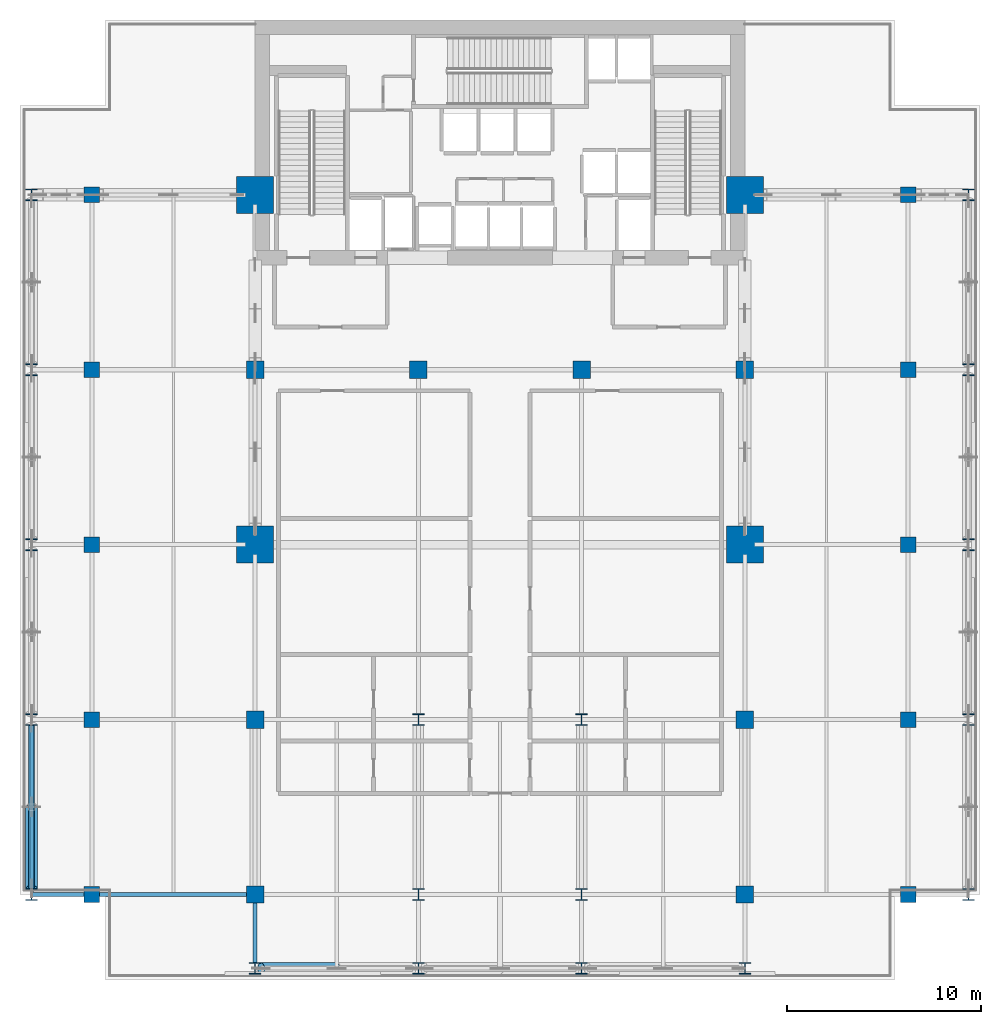
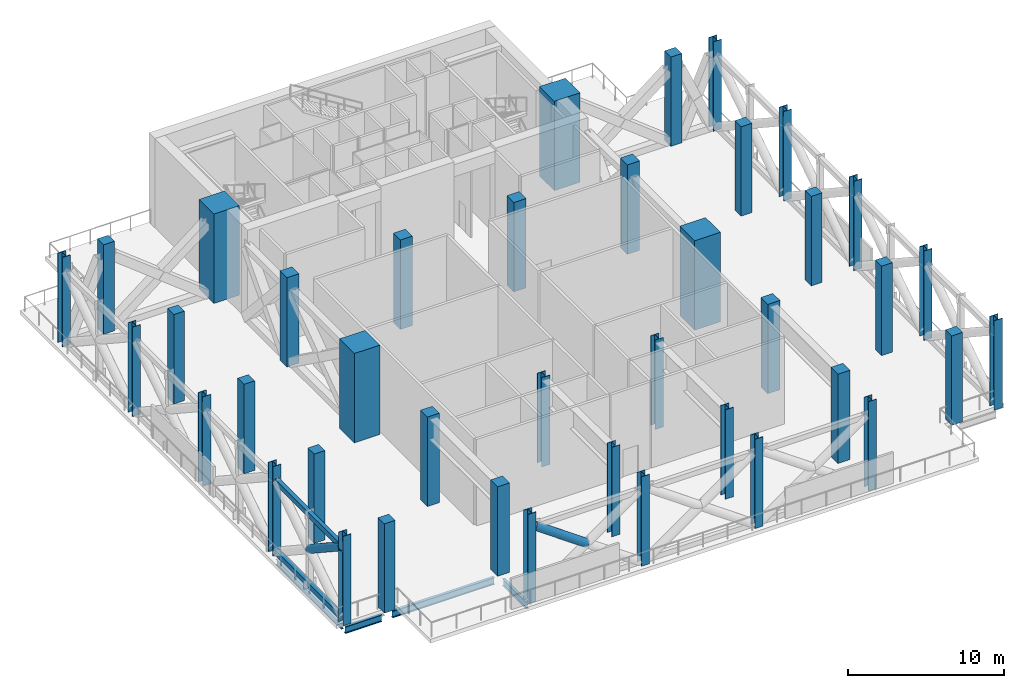
# One storey, part 1 of 14: 40 columns, 4 beams, 4 members.
"""IFC4 building model written with IfcOpenShell, lengths in metres."""

from ifc_helpers import new_model, si_unit, direction, frame, origin, origin_2d, place, context, subcontext, project, spatial, rectangle, hollow_rectangle, hollow_circle, i_section, extrude, material, material_profile, profile_set, type_object, element, save


model = new_model("IFC4")

# Units and contexts
model_context = context("Model", 3, precision=1e-05, world=origin(), true_north=direction((0.0, 1.0)))
body_context = subcontext(model_context, "Body", "Model", "MODEL_VIEW")
ifc_project = project(units=[si_unit("LENGTHUNIT", "METRE"), si_unit("AREAUNIT", "SQUARE_METRE"), si_unit("VOLUMEUNIT", "CUBIC_METRE"), si_unit("PLANEANGLEUNIT", "RADIAN"), si_unit("MASSUNIT", "GRAM", prefix="KILO")], contexts=[model_context])

# Site, building, storey
site_placement = place(None, origin())
site = spatial("IfcSite", under=ifc_project, at=site_placement, CompositionType="ELEMENT")
building_placement = place(site_placement, origin())
building = spatial("IfcBuilding", under=site, at=building_placement, Name="Maruvema Waterfront Hotel and Observation Tower", CompositionType="ELEMENT")
storey_placement = place(building_placement, frame((0.0, 0.0, 227.5)))
storey = spatial("IfcBuildingStorey", under=building, at=storey_placement, Name="L56", CompositionType="ELEMENT", Elevation=227.5)

# Columns
ifc_material_1 = material(Name="Concrete C80/95", Category="concrete")
ifc_material_profile_1 = material_profile(ifc_material_1, rectangle(XDim=1.89990234375, YDim=1.89990234375, at=origin_2d()), Name="MC1900x1900")
ifc_profile_set_1 = profile_set([ifc_material_profile_1], Name="Concrete C80/95")
column_type_1 = type_object("IfcColumnType", Name="Continuous Mega-Column MC1900x1900", PredefinedType="COLUMN", material=ifc_profile_set_1)
for number, where, z_axis, x_axis, name in (
    (1, (25.199951171875, 27.0, 0.0), (0.0, 0.0, 1.0), (1.0, 0.0, 0.0), "L56 Continuous Mega-Column MC-01"),
    (2, (50.39990234375, 27.0, 0.0), (0.0, 0.0, 1.0), (1.0, 0.0, 0.0), "L56 Continuous Mega-Column MC-02"),
    (3, (25.199951171875, 45.0, 0.0), (0.0, 0.0, 1.0), (1.0, 0.0, 0.0), "L56 Continuous Mega-Column MC-03"),
    (4, (50.39990234375, 45.0, 0.0), (0.0, 0.0, 1.0), (1.0, 0.0, 0.0), "L56 Continuous Mega-Column MC-04"),
):
    element("IfcColumn", number, at=place(storey_placement, frame(where, z_axis=z_axis, x_axis=x_axis)), inside=storey, type_object=column_type_1, Name=name, PredefinedType="COLUMN", context=body_context, shape_type="SweptSolid", body=[
        extrude(rectangle(XDim=1.89990234375, YDim=1.89990234375, at=origin_2d()), origin(), (0.0, 0.0, 1.0), 7.0),
    ])
ifc_material_2 = material(Name="Concrete C60/75", Category="concrete")
ifc_material_profile_2 = material_profile(ifc_material_2, rectangle(XDim=0.800048828125, YDim=0.800048828125, at=origin_2d()), Name="RC800x800")
ifc_profile_set_2 = profile_set([ifc_material_profile_2], Name="Concrete C60/75")
column_type_2 = type_object("IfcColumnType", Name="Reinforced Concrete Column RC800x800", PredefinedType="COLUMN", material=ifc_profile_set_2)
for number, where, z_axis, x_axis, name in (
    (5, (16.800048828125, 9.0, 0.0), (0.0, 0.0, 1.0), (1.0, 0.0, 0.0), "L56 Column C-3Y9"),
    (6, (58.800048828125, 9.0, 0.0), (0.0, 0.0, 1.0), (1.0, 0.0, 0.0), "L56 Column C-8Y9"),
    (7, (16.800048828125, 18.0, 0.0), (0.0, 0.0, 1.0), (1.0, 0.0, 0.0), "L56 Column C-3Y18"),
    (8, (58.800048828125, 18.0, 0.0), (0.0, 0.0, 1.0), (1.0, 0.0, 0.0), "L56 Column C-8Y18"),
    (9, (16.800048828125, 27.0, 0.0), (0.0, 0.0, 1.0), (1.0, 0.0, 0.0), "L56 Column C-3Y27"),
    (10, (58.800048828125, 27.0, 0.0), (0.0, 0.0, 1.0), (1.0, 0.0, 0.0), "L56 Column C-8Y27"),
    (11, (16.800048828125, 36.0, 0.0), (0.0, 0.0, 1.0), (1.0, 0.0, 0.0), "L56 Column C-3Y36"),
    (12, (58.800048828125, 36.0, 0.0), (0.0, 0.0, 1.0), (1.0, 0.0, 0.0), "L56 Column C-8Y36"),
    (13, (16.800048828125, 45.0, 0.0), (0.0, 0.0, 1.0), (1.0, 0.0, 0.0), "L56 Column C-3Y45"),
    (14, (58.800048828125, 45.0, 0.0), (0.0, 0.0, 1.0), (1.0, 0.0, 0.0), "L56 Column C-8Y45"),
):
    element("IfcColumn", number, at=place(storey_placement, frame(where, z_axis=z_axis, x_axis=x_axis)), inside=storey, type_object=column_type_2, Name=name, PredefinedType="COLUMN", context=body_context, shape_type="SweptSolid", body=[
        extrude(rectangle(XDim=0.800048828125, YDim=0.800048828125, at=origin_2d()), origin(), (0.0, 0.0, 1.0), 7.0),
    ])
ifc_material_3 = material(Name="Concrete C60/75", Category="concrete")
ifc_material_profile_3 = material_profile(ifc_material_3, rectangle(XDim=0.89990234375, YDim=0.89990234375, at=origin_2d()), Name="RC900x900")
ifc_profile_set_3 = profile_set([ifc_material_profile_3], Name="Concrete C60/75")
column_type_3 = type_object("IfcColumnType", Name="Reinforced Concrete Column RC900x900", PredefinedType="COLUMN", material=ifc_profile_set_3)
for number, where, z_axis, x_axis, name in (
    (15, (25.199951171875, 36.0, 0.0), (0.0, 0.0, 1.0), (1.0, 0.0, 0.0), "L56 Column C-4E"),
    (16, (33.60009765625, 36.0, 0.0), (0.0, 0.0, 1.0), (1.0, 0.0, 0.0), "L56 Column C-5E"),
    (17, (42.0, 36.0, 0.0), (0.0, 0.0, 1.0), (1.0, 0.0, 0.0), "L56 Column C-6E"),
    (18, (50.39990234375, 36.0, 0.0), (0.0, 0.0, 1.0), (1.0, 0.0, 0.0), "L56 Column C-7E"),
    (19, (25.199951171875, 18.0, 0.0), (0.0, 0.0, 1.0), (1.0, 0.0, 0.0), "L56 Column C-4C"),
    (20, (50.39990234375, 18.0, 0.0), (0.0, 0.0, 1.0), (1.0, 0.0, 0.0), "L56 Column C-7C"),
    (21, (25.199951171875, 9.0, 0.0), (0.0, 0.0, 1.0), (1.0, 0.0, 0.0), "L56 Column C-4B"),
    (22, (50.39990234375, 9.0, 0.0), (0.0, 0.0, 1.0), (1.0, 0.0, 0.0), "L56 Column C-7B"),
):
    element("IfcColumn", number, at=place(storey_placement, frame(where, z_axis=z_axis, x_axis=x_axis)), inside=storey, type_object=column_type_3, Name=name, PredefinedType="COLUMN", context=body_context, shape_type="SweptSolid", body=[
        extrude(rectangle(XDim=0.89990234375, YDim=0.89990234375, at=origin_2d()), origin(), (0.0, 0.0, 1.0), 7.0),
    ])
ifc_material_4 = material(Name="Steel ABNT NBR 7007 AR 415 (ASTM A572 Grade 50)", Category="steel")
ifc_material_profile_4 = material_profile(ifc_material_4, i_section(OverallWidth=0.60009765625, OverallDepth=0.60009765625, WebThickness=0.02490234375, FlangeThickness=0.0380859375, at=origin_2d()), Name="CVS600x317")
ifc_profile_set_4 = profile_set([ifc_material_profile_4], Name="Steel ABNT NBR 7007 AR 415 (ASTM A572 Grade 50)")
column_type_4 = type_object("IfcColumnType", Name="Structural Steel Column CVS600x317", PredefinedType="COLUMN", material=ifc_profile_set_4)
for number, where, z_axis, x_axis, name in (
    (23, (33.60009765625, 9.0, 0.0), (0.0, 0.0, 1.0), (1.0, 0.0, 0.0), "L56 Column C-5B"),
    (24, (42.0, 9.0, 0.0), (0.0, 0.0, 1.0), (1.0, 0.0, 0.0), "L56 Column C-6B"),
    (25, (33.60009765625, 18.0, 0.0), (0.0, 0.0, 1.0), (1.0, 0.0, 0.0), "L56 Column C-5C"),
    (26, (42.0, 18.0, 0.0), (0.0, 0.0, 1.0), (1.0, 0.0, 0.0), "L56 Column C-6C"),
    (27, (13.699951171875, 9.0, 0.0), (0.0, 0.0, 1.0), (1.0, 0.0, 0.0), "L56 Column C-Z2W9"),
    (28, (61.89990234375, 9.0, 0.0), (0.0, 0.0, 1.0), (1.0, 0.0, 0.0), "L56 Column C-Z2E9"),
    (29, (13.699951171875, 18.0, 0.0), (0.0, 0.0, 1.0), (1.0, 0.0, 0.0), "L56 Column C-Z2W18"),
    (30, (61.89990234375, 18.0, 0.0), (0.0, 0.0, 1.0), (1.0, 0.0, 0.0), "L56 Column C-Z2E18"),
    (31, (13.699951171875, 27.0, 0.0), (0.0, 0.0, 1.0), (1.0, 0.0, 0.0), "L56 Column C-Z2W27"),
    (32, (61.89990234375, 27.0, 0.0), (0.0, 0.0, 1.0), (1.0, 0.0, 0.0), "L56 Column C-Z2E27"),
    (33, (13.699951171875, 36.0, 0.0), (0.0, 0.0, 1.0), (1.0, 0.0, 0.0), "L56 Column C-Z2W36"),
    (34, (61.89990234375, 36.0, 0.0), (0.0, 0.0, 1.0), (1.0, 0.0, 0.0), "L56 Column C-Z2E36"),
    (35, (13.699951171875, 45.0, 0.0), (0.0, 0.0, 1.0), (1.0, 0.0, 0.0), "L56 Column C-Z2W45"),
    (36, (61.89990234375, 45.0, 0.0), (0.0, 0.0, 1.0), (1.0, 0.0, 0.0), "L56 Column C-Z2E45"),
    (37, (25.199951171875, 5.199951171875, 0.0), (0.0, 0.0, 1.0), (1.0, 0.0, 0.0), "L56 Column C-Z2S4"),
    (38, (33.60009765625, 5.199951171875, 0.0), (0.0, 0.0, 1.0), (1.0, 0.0, 0.0), "L56 Column C-Z2S5"),
    (39, (42.0, 5.199951171875, 0.0), (0.0, 0.0, 1.0), (1.0, 0.0, 0.0), "L56 Column C-Z2S6"),
    (40, (50.39990234375, 5.199951171875, 0.0), (0.0, 0.0, 1.0), (1.0, 0.0, 0.0), "L56 Column C-Z2S7"),
):
    element("IfcColumn", number, at=place(storey_placement, frame(where, z_axis=z_axis, x_axis=x_axis)), inside=storey, type_object=column_type_4, Name=name, PredefinedType="COLUMN", context=body_context, shape_type="SweptSolid", body=[
        extrude(i_section(OverallWidth=0.60009765625, OverallDepth=0.60009765625, WebThickness=0.02490234375, FlangeThickness=0.0380859375, at=origin_2d()), origin(), (0.0, 0.0, 1.0), 7.0),
    ])

# Members
ifc_material_5 = material(Name="Steel ABNT NBR 7007 AR 415 (ASTM A572 Grade 50)", Category="steel")
ifc_material_profile_5 = material_profile(ifc_material_5, hollow_rectangle(XDim=0.300048828125, YDim=0.39990234375, WallThickness=0.02001953125, at=origin_2d()), Name="RHS400x300x20.0")
ifc_profile_set_5 = profile_set([ifc_material_profile_5], Name="Steel ABNT NBR 7007 AR 415 (ASTM A572 Grade 50)")
member_type_1 = type_object("IfcMemberType", Name="Perimeter Belt Truss Chord RHS400x300x20.0", PredefinedType="CHORD", material=ifc_profile_set_5)
for number, where, z_axis, x_axis, name in (
    (41, (13.699951171875, 9.300048828125, 0.25), (0.0, 1.0, 0.0), (-1.0, 0.0, 0.0), "L56 Perimeter Belt Truss Chord W1"),
    (42, (13.699951171875, 9.300048828125, 5.780029296875), (0.0, 1.0, 0.0), (-1.0, 0.0, 0.0), "L56 Perimeter Belt Truss Top Chord W1"),
):
    element("IfcMember", number, at=place(storey_placement, frame(where, z_axis=z_axis, x_axis=x_axis)), inside=storey, type_object=member_type_1, Name=name, PredefinedType="CHORD", context=body_context, shape_type="SweptSolid", body=[
        extrude(hollow_rectangle(XDim=0.300048828125, YDim=0.39990234375, WallThickness=0.02001953125, at=origin_2d()), origin(), (0.0, 0.0, 1.0), 8.39990234375),
    ])
ifc_material_6 = material(Name="Steel ABNT NBR 7007 AR 350 (ASTM A572 Grade 50)", Category="steel")
ifc_material_profile_6 = material_profile(ifc_material_6, hollow_circle(Radius=0.304931640625, WallThickness=0.02490234375, at=origin_2d()), Name="CHS610.0x25.0")
ifc_profile_set_6 = profile_set([ifc_material_profile_6], Name="Steel ABNT NBR 7007 AR 350 (ASTM A572 Grade 50)")
member_type_2 = type_object("IfcMemberType", Name="Perimeter Belt Truss Diagonal CHS610.0x25.0", PredefinedType="BRACE", material=ifc_profile_set_6)
member_1_placement = place(storey_placement, frame((13.699951171875, 13.4833984375, 3.02587890625), z_axis=(0.0, -0.835238575042, 0.549887736507), x_axis=(1.0, 0.0, 0.0)))
element("IfcMember", 43, at=member_1_placement, inside=storey, type_object=member_type_2, Name="L56 Perimeter Belt Truss Diagonal W1 Split Upper B2", PredefinedType="BRACE", context=body_context, shape_type="SweptSolid", body=[
    extrude(hollow_circle(Radius=0.304931640625, WallThickness=0.02490234375, at=origin_2d()), origin(), (0.0, 0.0, 1.0), 5.008544921875),
])
member_2_placement = place(storey_placement, frame((29.3837890625, 5.199951171875, 3.026611328125), z_axis=(-0.815786560576, 0.0, 0.578353082108), x_axis=(0.0, -1.0, 0.0)))
element("IfcMember", 44, at=member_2_placement, inside=storey, type_object=member_type_2, Name="L56 South Perimeter Belt Truss Diagonal 1 Split Upper B2", PredefinedType="BRACE", context=body_context, shape_type="SweptSolid", body=[
    extrude(hollow_circle(Radius=0.304931640625, WallThickness=0.02490234375, at=origin_2d()), origin(), (0.0, 0.0, 1.0), 4.7607421875),
])

# Beams
ifc_material_7 = material(Name="Steel ASTM A572 Grade 50", Category="steel")
ifc_material_profile_7 = material_profile(ifc_material_7, i_section(OverallWidth=0.178955078125, OverallDepth=0.409912109375, WebThickness=0.0087890625, FlangeThickness=0.014404296875, FilletRadius=0.014892578125, at=origin_2d()), Name="W410x67.0")
ifc_profile_set_7 = profile_set([ifc_material_profile_7], Name="Steel ASTM A572 Grade 50")
beam_type_1 = type_object("IfcBeamType", Name="Perimeter Spandrel Beam W410x67.0", PredefinedType="SPANDREL", material=ifc_profile_set_7)
beam_1_placement = place(storey_placement, frame((13.699951171875, 9.300048828125, -0.5048828125), z_axis=(0.0, 1.0, 0.0), x_axis=(-1.0, 0.0, 0.0)))
element("IfcBeam", 45, at=beam_1_placement, inside=storey, type_object=beam_type_1, Name="L56 Floor Girder NS-01", PredefinedType="SPANDREL", context=body_context, shape_type="SweptSolid", body=[
    extrude(i_section(OverallWidth=0.178955078125, OverallDepth=0.409912109375, WebThickness=0.0087890625, FlangeThickness=0.014404296875, FilletRadius=0.014892578125, at=origin_2d()), origin(), (0.0, 0.0, 1.0), 8.39990234375),
])
ifc_material_8 = material(Name="Steel ASTM A572 Grade 50", Category="steel")
ifc_material_profile_8 = material_profile(ifc_material_8, i_section(OverallWidth=0.2109375, OverallDepth=0.5390625, WebThickness=0.01171875, FlangeThickness=0.018798828125, FilletRadius=0.014892578125, at=origin_2d()), Name="W530x109.0")
ifc_profile_set_8 = profile_set([ifc_material_profile_8], Name="Steel ASTM A572 Grade 50")
beam_type_2 = type_object("IfcBeamType", Name="Primary Floor Girder W530x109.0", PredefinedType="BEAM", material=ifc_profile_set_8)
beam_2_placement = place(storey_placement, frame((13.71240234375, 9.0, -0.569580078125), z_axis=(1.0, 0.0, 0.0), x_axis=(0.0, 1.0, 0.0)))
element("IfcBeam", 46, at=beam_2_placement, inside=storey, type_object=beam_type_2, Name="L56 Floor Girder EW-04", PredefinedType="BEAM", context=body_context, shape_type="SweptSolid", body=[
    extrude(i_section(OverallWidth=0.2109375, OverallDepth=0.5390625, WebThickness=0.01171875, FlangeThickness=0.018798828125, FilletRadius=0.014892578125, at=origin_2d()), origin(), (0.0, 0.0, 1.0), 2.6875),
])
beam_3_placement = place(storey_placement, frame((17.199951171875, 9.0, -0.569580078125), z_axis=(1.0, 0.0, 0.0), x_axis=(0.0, 1.0, 0.0)))
element("IfcBeam", 47, at=beam_3_placement, inside=storey, type_object=beam_type_2, Name="L56 Floor Girder EW-05", PredefinedType="BEAM", context=body_context, shape_type="SweptSolid", body=[
    extrude(i_section(OverallWidth=0.2109375, OverallDepth=0.5390625, WebThickness=0.01171875, FlangeThickness=0.018798828125, FilletRadius=0.014892578125, at=origin_2d()), origin(), (0.0, 0.0, 1.0), 7.550048828125),
])
beam_4_placement = place(storey_placement, frame((25.199951171875, 5.5, -0.569580078125), z_axis=(0.0, 1.0, 0.0), x_axis=(-1.0, 0.0, 0.0)))
element("IfcBeam", 48, at=beam_4_placement, inside=storey, type_object=beam_type_2, Name="L56 Floor Girder NS-09", PredefinedType="BEAM", context=body_context, shape_type="SweptSolid", body=[
    extrude(i_section(OverallWidth=0.2109375, OverallDepth=0.5390625, WebThickness=0.01171875, FlangeThickness=0.018798828125, FilletRadius=0.014892578125, at=origin_2d()), origin(), (0.0, 0.0, 1.0), 3.050048828125),
])

save(model, "model.ifc")
